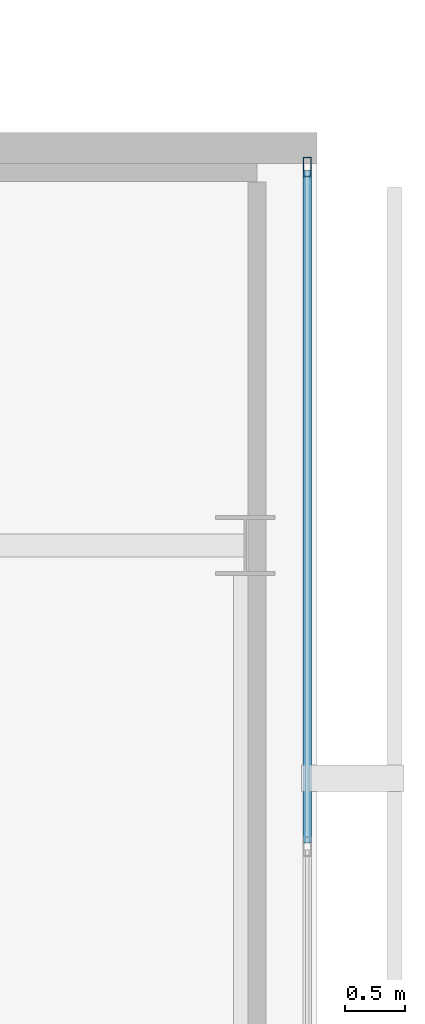
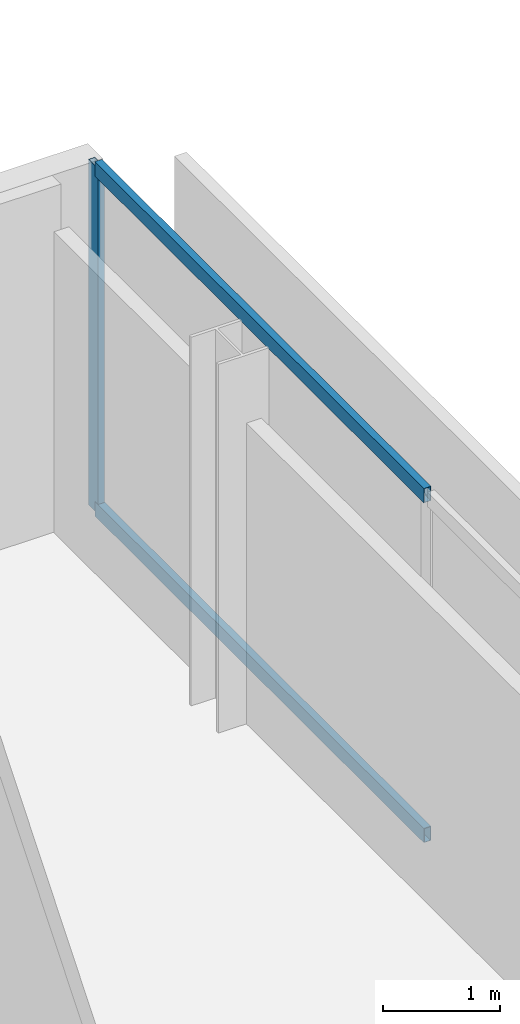
# One storey, part 15 of 24: 3 members, 1 element without a shape of its own.
"""IFC4 building model written with IfcOpenShell, lengths in metres."""

from ifc_helpers import new_model, si_unit, direction, frame, origin, origin_2d, place, context, subcontext, project, spatial, hollow_rectangle, extrude, material, layer, layer_set, material_profile, profile_set, type_object, element, aggregate, save


model = new_model("IFC4")

# Units and contexts
model_context = context("Model", 3, precision=1e-05, world=origin(), true_north=direction((0.0, 1.0)))
body_context = subcontext(model_context, "Body", "Model", "MODEL_VIEW")
ifc_project = project(units=[si_unit("LENGTHUNIT", "METRE"), si_unit("AREAUNIT", "SQUARE_METRE"), si_unit("VOLUMEUNIT", "CUBIC_METRE"), si_unit("PLANEANGLEUNIT", "RADIAN"), si_unit("MASSUNIT", "GRAM", prefix="KILO")], contexts=[model_context])

# Site, building, storey
site_placement = place(None, origin())
site = spatial("IfcSite", under=ifc_project, at=site_placement, CompositionType="ELEMENT")
building_placement = place(site_placement, origin())
building = spatial("IfcBuilding", under=site, at=building_placement, Name="Maruvema Waterfront Hotel and Observation Tower", CompositionType="ELEMENT")
storey_placement = place(building_placement, frame((0.0, 0.0, 325.85009765625)))
storey = spatial("IfcBuildingStorey", under=building, at=storey_placement, Name="L80", CompositionType="ELEMENT", Elevation=325.85009765625)

# Curtain wall, members
ifc_material_1 = material(Name="Anodised bronze aluminium and solar-control low-E IGU", Category="aluminium")
ifc_layer = layer(ifc_material_1, 0.159912109375, Name="Zone 4 Sky Residence Inner Curtain Wall System CW-05")
ifc_layer_set = layer_set([ifc_layer], Name="Anodised bronze aluminium and solar-control low-E IGU")
curtain_wall_type = type_object("IfcCurtainWallType", Name="Zone 4 Sky Residence Inner Curtain Wall System CW-05", PredefinedType="USERDEFINED", material=ifc_layer_set)
curtain_wall_placement = place(storey_placement, origin())
curtain_wall = element("IfcCurtainWall", 1, at=curtain_wall_placement, inside=storey, type_object=curtain_wall_type, Name="L80 Curtain Wall CW-L80-E", ObjectType="UNITISED CURTAIN WALL", PredefinedType="USERDEFINED")
ifc_material_2 = material(Name="Anodised architectural bronze aluminium", Category="aluminium")
ifc_material_profile_1 = material_profile(ifc_material_2, hollow_rectangle(XDim=0.070068359375, YDim=0.14990234375, WallThickness=0.00390625, at=origin_2d()), Name="ALU-T70x150")
ifc_profile_set_1 = profile_set([ifc_material_profile_1], Name="Anodised architectural bronze aluminium")
member_type_1 = type_object("IfcMemberType", Name="Curtain Wall Horizontal Transom ALU-T70x150", PredefinedType="USERDEFINED", material=ifc_profile_set_1)
member_1_placement = place(storey_placement, frame((57.820068359375, 42.510009765625, 0.02978515625), z_axis=(0.0, 1.0, 0.0), x_axis=(-1.0, 0.0, 0.0)))
member_1 = element("IfcMember", 2, at=member_1_placement, type_object=member_type_1, Name="CW-05 transom 5.1", ObjectType="TRANSOM", PredefinedType="USERDEFINED", context=body_context, shape_type="SweptSolid", body=[
    extrude(hollow_rectangle(XDim=0.070068359375, YDim=0.14990234375, WallThickness=0.00390625, at=origin_2d()), origin(), (0.0, 0.0, 1.0), 5.6298828125),
])
member_2_placement = place(storey_placement, frame((57.820068359375, 42.510009765625, 3.579833984375), z_axis=(0.0, 1.0, 0.0), x_axis=(-1.0, 0.0, 0.0)))
member_2 = element("IfcMember", 3, at=member_2_placement, type_object=member_type_1, Name="CW-05 transom 5.2", ObjectType="TRANSOM", PredefinedType="USERDEFINED", context=body_context, shape_type="SweptSolid", body=[
    extrude(hollow_rectangle(XDim=0.070068359375, YDim=0.14990234375, WallThickness=0.00390625, at=origin_2d()), origin(), (0.0, 0.0, 1.0), 5.6298828125),
])
ifc_material_3 = material(Name="Anodised architectural bronze aluminium", Category="aluminium")
ifc_material_profile_2 = material_profile(ifc_material_3, hollow_rectangle(XDim=0.06494140625, YDim=0.1650390625, WallThickness=0.00390625, at=origin_2d()), Name="ALU-M65x165")
ifc_profile_set_2 = profile_set([ifc_material_profile_2], Name="Anodised architectural bronze aluminium")
member_type_2 = type_object("IfcMemberType", Name="Curtain Wall Primary Mullion ALU-M65x165", PredefinedType="MULLION", material=ifc_profile_set_2)
member_3_placement = place(storey_placement, frame((57.820068359375, 48.169921875, 0.0), z_axis=(0.0, 0.0, 1.0), x_axis=(-1.0, 0.0, 0.0)))
member_3 = element("IfcMember", 4, at=member_3_placement, type_object=member_type_2, Name="CW-05 mullion 6", PredefinedType="MULLION", context=body_context, shape_type="SweptSolid", body=[
    extrude(hollow_rectangle(XDim=0.06494140625, YDim=0.1650390625, WallThickness=0.00390625, at=origin_2d()), origin(), (0.0, 0.0, 1.0), 3.60986328125),
])
aggregate(curtain_wall, [member_3, member_1, member_2])

save(model, "model.ifc")
